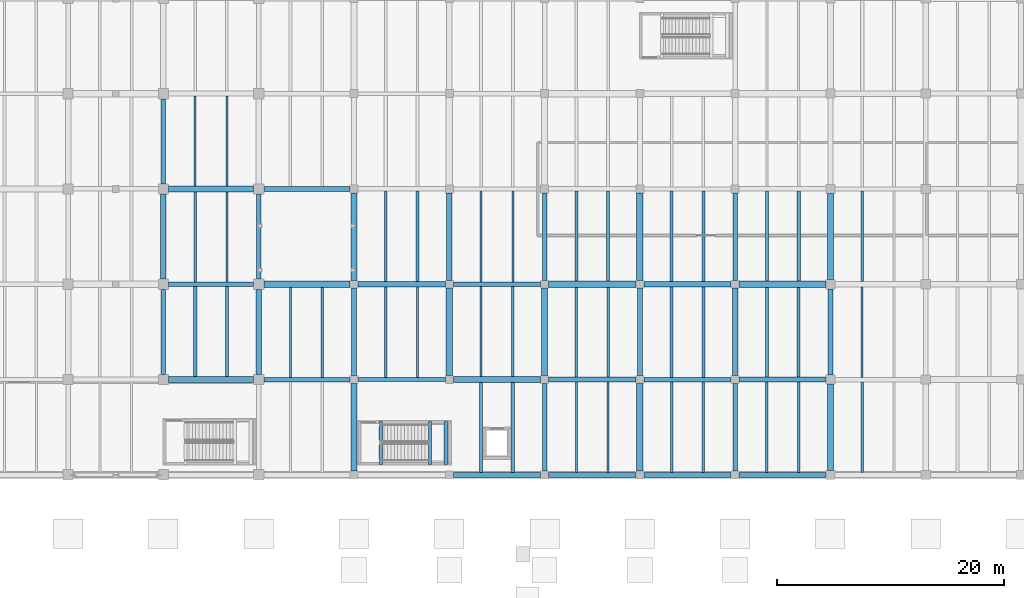
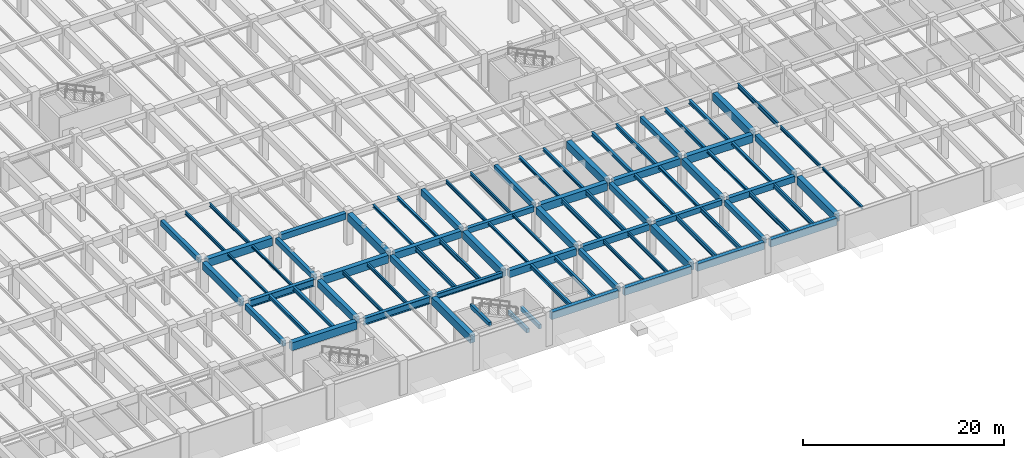
# One storey, part 16 of 63: 84 beams.
"""IFC4 building model written with IfcOpenShell, lengths in metres."""

from ifc_helpers import new_model, si_unit, direction, frame, origin, origin_2d, place, context, subcontext, project, spatial, rectangle, i_section, extrude, material, material_profile, profile_set, type_object, element, save


model = new_model("IFC4")

# Units and contexts
model_context = context("Model", 3, precision=1e-05, world=origin(), true_north=direction((0.0, 1.0)))
body_context = subcontext(model_context, "Body", "Model", "MODEL_VIEW")
ifc_project = project(units=[si_unit("LENGTHUNIT", "METRE"), si_unit("AREAUNIT", "SQUARE_METRE"), si_unit("VOLUMEUNIT", "CUBIC_METRE"), si_unit("PLANEANGLEUNIT", "RADIAN"), si_unit("MASSUNIT", "GRAM", prefix="KILO")], contexts=[model_context])

# Site, building, storey
site_placement = place(None, origin())
site = spatial("IfcSite", under=ifc_project, at=site_placement, CompositionType="ELEMENT")
building_placement = place(site_placement, origin())
building = spatial("IfcBuilding", under=site, at=building_placement, Name="Cumbredor Promenade Congress Hotel", CompositionType="ELEMENT")
storey_placement = place(building_placement, frame((0.0, 0.0, -4.199951171875)))
storey = spatial("IfcBuildingStorey", under=building, at=storey_placement, Name="B01", CompositionType="ELEMENT", Elevation=-4.199951171875)

# Beams
ifc_material_1 = material(Name="Concrete C40/50", Category="concrete")
ifc_material_profile_1 = material_profile(ifc_material_1, rectangle(XDim=0.39990234375, YDim=0.64990234375, at=origin_2d()), Name="RC BEAM 400x650")
ifc_profile_set_1 = profile_set([ifc_material_profile_1], Name="Concrete C40/50")
beam_type_1 = type_object("IfcBeamType", Name="BM-RC-400x650", PredefinedType="BEAM", material=ifc_profile_set_1)
for number, where, z_axis, x_axis, name in (
    (1, (58.800048828125, 17.25, 3.52490234375), (0.0, 1.0, 0.0), (-1.0, 0.0, 0.0), "L00 Y-Grid Beam 151"),
    (2, (58.800048828125, 34.050048828125, 3.52490234375), (0.0, 1.0, 0.0), (-1.0, 0.0, 0.0), "L00 Y-Grid Beam 155"),
    (3, (67.199951171875, 25.64990234375, 3.52490234375), (0.0, 1.0, 0.0), (-1.0, 0.0, 0.0), "L00 Y-Grid Beam 179"),
):
    element("IfcBeam", number, at=place(storey_placement, frame(where, z_axis=z_axis, x_axis=x_axis)), inside=storey, type_object=beam_type_1, Name=name, PredefinedType="BEAM", context=body_context, shape_type="SweptSolid", body=[
        extrude(rectangle(XDim=0.39990234375, YDim=0.64990234375, at=origin_2d()), origin(), (0.0, 0.0, 1.0), 7.5),
    ])
for number, where, z_axis, x_axis, name in (
    (4, (84.35009765625, 25.199951171875, 3.52490234375), (1.0, 0.0, 0.0), (0.0, 1.0, 0.0), "L00 X-Grid Beam 231"),
    (5, (92.39990234375, 8.75, 3.52490234375), (0.0, 1.0, 0.0), (-1.0, 0.0, 0.0), "L00 Y-Grid Beam 255"),
    (6, (92.39990234375, 25.550048828125, 3.52490234375), (0.0, 1.0, 0.0), (-1.0, 0.0, 0.0), "L00 Y-Grid Beam 259"),
):
    element("IfcBeam", number, at=place(storey_placement, frame(where, z_axis=z_axis, x_axis=x_axis)), inside=storey, type_object=beam_type_1, Name=name, PredefinedType="BEAM", context=body_context, shape_type="SweptSolid", body=[
        extrude(rectangle(XDim=0.39990234375, YDim=0.64990234375, at=origin_2d()), origin(), (0.0, 0.0, 1.0), 7.699951171875),
    ])
beam_1_placement = place(storey_placement, frame((101.14990234375, 16.800048828125, 3.52490234375), z_axis=(1.0, 0.0, 0.0), x_axis=(0.0, 1.0, 0.0)))
element("IfcBeam", 7, at=beam_1_placement, inside=storey, type_object=beam_type_1, Name="L00 X-Grid Beam 283", PredefinedType="BEAM", context=body_context, shape_type="SweptSolid", body=[
    extrude(rectangle(XDim=0.39990234375, YDim=0.64990234375, at=origin_2d()), origin(), (0.0, 0.0, 1.0), 7.7001953125),
])
for number, where, z_axis, x_axis, name in (
    (8, (109.199951171875, 8.75, 3.52490234375), (0.0, 1.0, 0.0), (-1.0, 0.0, 0.0), "L00 Y-Grid Beam 303"),
    (9, (109.199951171875, 25.550048828125, 3.52490234375), (0.0, 1.0, 0.0), (-1.0, 0.0, 0.0), "L00 Y-Grid Beam 307"),
):
    element("IfcBeam", number, at=place(storey_placement, frame(where, z_axis=z_axis, x_axis=x_axis)), inside=storey, type_object=beam_type_1, Name=name, PredefinedType="BEAM", context=body_context, shape_type="SweptSolid", body=[
        extrude(rectangle(XDim=0.39990234375, YDim=0.64990234375, at=origin_2d()), origin(), (0.0, 0.0, 1.0), 7.699951171875),
    ])
ifc_material_profile_2 = material_profile(ifc_material_1, rectangle(XDim=0.449951171875, YDim=0.75, at=origin_2d()), Name="RC BEAM 450x750")
ifc_profile_set_2 = profile_set([ifc_material_profile_2], Name="Concrete C40/50")
beam_type_2 = type_object("IfcBeamType", Name="BM-RC-450x750", PredefinedType="BEAM", material=ifc_profile_set_2)
beam_2_placement = place(storey_placement, frame((67.64990234375, 33.60009765625, 3.474853515625), z_axis=(1.0, 0.0, 0.0), x_axis=(0.0, 1.0, 0.0)))
element("IfcBeam", 10, at=beam_2_placement, inside=storey, type_object=beam_type_2, Name="L00 X-Grid Beam 180", PredefinedType="BEAM", context=body_context, shape_type="SweptSolid", body=[
    extrude(rectangle(XDim=0.449951171875, YDim=0.75, at=origin_2d()), origin(), (0.0, 0.0, 1.0), 7.60009765625),
])
beam_3_placement = place(storey_placement, frame((75.60009765625, 17.14990234375, 3.474853515625), z_axis=(0.0, 1.0, 0.0), x_axis=(-1.0, 0.0, 0.0)))
element("IfcBeam", 11, at=beam_3_placement, inside=storey, type_object=beam_type_2, Name="L00 Y-Grid Beam 204", PredefinedType="BEAM", context=body_context, shape_type="SweptSolid", body=[
    extrude(rectangle(XDim=0.449951171875, YDim=0.75, at=origin_2d()), origin(), (0.0, 0.0, 1.0), 7.7001953125),
])
for number, where, z_axis, x_axis, name in (
    (12, (84.0, 25.550048828125, 3.474853515625), (0.0, 1.0, 0.0), (-1.0, 0.0, 0.0), "L00 Y-Grid Beam 232"),
    (13, (92.75, 16.800048828125, 3.474853515625), (1.0, 0.0, 0.0), (0.0, 1.0, 0.0), "L00 X-Grid Beam 256"),
):
    element("IfcBeam", number, at=place(storey_placement, frame(where, z_axis=z_axis, x_axis=x_axis)), inside=storey, type_object=beam_type_2, Name=name, PredefinedType="BEAM", context=body_context, shape_type="SweptSolid", body=[
        extrude(rectangle(XDim=0.449951171875, YDim=0.75, at=origin_2d()), origin(), (0.0, 0.0, 1.0), 7.699951171875),
    ])
beam_4_placement = place(storey_placement, frame((100.800048828125, 17.14990234375, 3.474853515625), z_axis=(0.0, 1.0, 0.0), x_axis=(-1.0, 0.0, 0.0)))
element("IfcBeam", 14, at=beam_4_placement, inside=storey, type_object=beam_type_2, Name="L00 Y-Grid Beam 284", PredefinedType="BEAM", context=body_context, shape_type="SweptSolid", body=[
    extrude(rectangle(XDim=0.449951171875, YDim=0.75, at=origin_2d()), origin(), (0.0, 0.0, 1.0), 7.7001953125),
])
beam_5_placement = place(storey_placement, frame((109.550048828125, 16.800048828125, 3.474853515625), z_axis=(1.0, 0.0, 0.0), x_axis=(0.0, 1.0, 0.0)))
element("IfcBeam", 15, at=beam_5_placement, inside=storey, type_object=beam_type_2, Name="L00 X-Grid Beam 304", PredefinedType="BEAM", context=body_context, shape_type="SweptSolid", body=[
    extrude(rectangle(XDim=0.449951171875, YDim=0.75, at=origin_2d()), origin(), (0.0, 0.0, 1.0), 7.64990234375),
])
beam_6_placement = place(storey_placement, frame((117.60009765625, 17.199951171875, 3.474853515625), z_axis=(0.0, 1.0, 0.0), x_axis=(-1.0, 0.0, 0.0)))
element("IfcBeam", 16, at=beam_6_placement, inside=storey, type_object=beam_type_2, Name="L00 Y-Grid Beam 332", PredefinedType="BEAM", context=body_context, shape_type="SweptSolid", body=[
    extrude(rectangle(XDim=0.449951171875, YDim=0.75, at=origin_2d()), origin(), (0.0, 0.0, 1.0), 7.60009765625),
])
ifc_material_profile_3 = material_profile(ifc_material_1, rectangle(XDim=0.5, YDim=0.85009765625, at=origin_2d()), Name="RC BEAM 500x850")
ifc_profile_set_3 = profile_set([ifc_material_profile_3], Name="Concrete C40/50")
beam_type_3 = type_object("IfcBeamType", Name="BM-RC-500x850", PredefinedType="BEAM", material=ifc_profile_set_3)
for number, where, z_axis, x_axis, name in (
    (17, (58.800048828125, 25.64990234375, 3.425048828125), (0.0, 1.0, 0.0), (-1.0, 0.0, 0.0), "L00 Y-Grid Beam 153"),
    (18, (67.199951171875, 17.25, 3.425048828125), (0.0, 1.0, 0.0), (-1.0, 0.0, 0.0), "L00 Y-Grid Beam 177"),
):
    element("IfcBeam", number, at=place(storey_placement, frame(where, z_axis=z_axis, x_axis=x_axis)), inside=storey, type_object=beam_type_3, Name=name, PredefinedType="BEAM", context=body_context, shape_type="SweptSolid", body=[
        extrude(rectangle(XDim=0.5, YDim=0.85009765625, at=origin_2d()), origin(), (0.0, 0.0, 1.0), 7.5),
    ])
for number, where, z_axis, x_axis, name in (
    (19, (75.949951171875, 25.199951171875, 3.425048828125), (1.0, 0.0, 0.0), (0.0, 1.0, 0.0), "L00 X-Grid Beam 205"),
    (20, (84.35009765625, 16.800048828125, 3.425048828125), (1.0, 0.0, 0.0), (0.0, 1.0, 0.0), "L00 X-Grid Beam 229"),
):
    element("IfcBeam", number, at=place(storey_placement, frame(where, z_axis=z_axis, x_axis=x_axis)), inside=storey, type_object=beam_type_3, Name=name, PredefinedType="BEAM", context=body_context, shape_type="SweptSolid", body=[
        extrude(rectangle(XDim=0.5, YDim=0.85009765625, at=origin_2d()), origin(), (0.0, 0.0, 1.0), 7.699951171875),
    ])
for number, where, z_axis, x_axis, name in (
    (21, (92.39990234375, 17.14990234375, 3.425048828125), (0.0, 1.0, 0.0), (-1.0, 0.0, 0.0), "L00 Y-Grid Beam 257"),
    (22, (101.14990234375, 25.199951171875, 3.425048828125), (1.0, 0.0, 0.0), (0.0, 1.0, 0.0), "L00 X-Grid Beam 285"),
    (23, (109.199951171875, 17.14990234375, 3.425048828125), (0.0, 1.0, 0.0), (-1.0, 0.0, 0.0), "L00 Y-Grid Beam 305"),
):
    element("IfcBeam", number, at=place(storey_placement, frame(where, z_axis=z_axis, x_axis=x_axis)), inside=storey, type_object=beam_type_3, Name=name, PredefinedType="BEAM", context=body_context, shape_type="SweptSolid", body=[
        extrude(rectangle(XDim=0.5, YDim=0.85009765625, at=origin_2d()), origin(), (0.0, 0.0, 1.0), 7.7001953125),
    ])
ifc_material_profile_4 = material_profile(ifc_material_1, rectangle(XDim=0.550048828125, YDim=0.949951171875, at=origin_2d()), Name="RC BEAM 550x950")
ifc_profile_set_4 = profile_set([ifc_material_profile_4], Name="Concrete C40/50")
beam_type_4 = type_object("IfcBeamType", Name="BM-RC-550x950", PredefinedType="BEAM", material=ifc_profile_set_4)
for number, where, z_axis, x_axis, name in (
    (24, (59.25, 16.800048828125, 3.375), (1.0, 0.0, 0.0), (0.0, 1.0, 0.0), "L00 X-Grid Beam 150"),
    (25, (59.25, 33.60009765625, 3.375), (1.0, 0.0, 0.0), (0.0, 1.0, 0.0), "L00 X-Grid Beam 154"),
):
    element("IfcBeam", number, at=place(storey_placement, frame(where, z_axis=z_axis, x_axis=x_axis)), inside=storey, type_object=beam_type_4, Name=name, PredefinedType="BEAM", context=body_context, shape_type="SweptSolid", body=[
        extrude(rectangle(XDim=0.550048828125, YDim=0.949951171875, at=origin_2d()), origin(), (0.0, 0.0, 1.0), 7.5),
    ])
beam_7_placement = place(storey_placement, frame((67.64990234375, 25.199951171875, 3.375), z_axis=(1.0, 0.0, 0.0), x_axis=(0.0, 1.0, 0.0)))
element("IfcBeam", 26, at=beam_7_placement, inside=storey, type_object=beam_type_4, Name="L00 X-Grid Beam 178", PredefinedType="BEAM", context=body_context, shape_type="SweptSolid", body=[
    extrude(rectangle(XDim=0.550048828125, YDim=0.949951171875, at=origin_2d()), origin(), (0.0, 0.0, 1.0), 7.60009765625),
])
for number, where, z_axis, x_axis, name in (
    (27, (75.60009765625, 8.75, 3.375), (0.0, 1.0, 0.0), (-1.0, 0.0, 0.0), "L00 Y-Grid Beam 202"),
    (28, (75.60009765625, 25.550048828125, 3.375), (0.0, 1.0, 0.0), (-1.0, 0.0, 0.0), "L00 Y-Grid Beam 206"),
):
    element("IfcBeam", number, at=place(storey_placement, frame(where, z_axis=z_axis, x_axis=x_axis)), inside=storey, type_object=beam_type_4, Name=name, PredefinedType="BEAM", context=body_context, shape_type="SweptSolid", body=[
        extrude(rectangle(XDim=0.550048828125, YDim=0.949951171875, at=origin_2d()), origin(), (0.0, 0.0, 1.0), 7.699951171875),
    ])
beam_8_placement = place(storey_placement, frame((84.0, 17.14990234375, 3.375), z_axis=(0.0, 1.0, 0.0), x_axis=(-1.0, 0.0, 0.0)))
element("IfcBeam", 29, at=beam_8_placement, inside=storey, type_object=beam_type_4, Name="L00 Y-Grid Beam 230", PredefinedType="BEAM", context=body_context, shape_type="SweptSolid", body=[
    extrude(rectangle(XDim=0.550048828125, YDim=0.949951171875, at=origin_2d()), origin(), (0.0, 0.0, 1.0), 7.7001953125),
])
for number, where, z_axis, x_axis, name in (
    (30, (92.75, 25.199951171875, 3.375), (1.0, 0.0, 0.0), (0.0, 1.0, 0.0), "L00 X-Grid Beam 258"),
    (31, (100.800048828125, 8.75, 3.375), (0.0, 1.0, 0.0), (-1.0, 0.0, 0.0), "L00 Y-Grid Beam 282"),
    (32, (100.800048828125, 25.550048828125, 3.375), (0.0, 1.0, 0.0), (-1.0, 0.0, 0.0), "L00 Y-Grid Beam 286"),
):
    element("IfcBeam", number, at=place(storey_placement, frame(where, z_axis=z_axis, x_axis=x_axis)), inside=storey, type_object=beam_type_4, Name=name, PredefinedType="BEAM", context=body_context, shape_type="SweptSolid", body=[
        extrude(rectangle(XDim=0.550048828125, YDim=0.949951171875, at=origin_2d()), origin(), (0.0, 0.0, 1.0), 7.699951171875),
    ])
beam_9_placement = place(storey_placement, frame((109.550048828125, 25.199951171875, 3.375), z_axis=(1.0, 0.0, 0.0), x_axis=(0.0, 1.0, 0.0)))
element("IfcBeam", 33, at=beam_9_placement, inside=storey, type_object=beam_type_4, Name="L00 X-Grid Beam 306", PredefinedType="BEAM", context=body_context, shape_type="SweptSolid", body=[
    extrude(rectangle(XDim=0.550048828125, YDim=0.949951171875, at=origin_2d()), origin(), (0.0, 0.0, 1.0), 7.64990234375),
])
for number, where, z_axis, x_axis, name in (
    (34, (117.60009765625, 8.800048828125, 3.375), (0.0, 1.0, 0.0), (-1.0, 0.0, 0.0), "L00 Y-Grid Beam 330"),
    (35, (117.60009765625, 25.60009765625, 3.375), (0.0, 1.0, 0.0), (-1.0, 0.0, 0.0), "L00 Y-Grid Beam 334"),
):
    element("IfcBeam", number, at=place(storey_placement, frame(where, z_axis=z_axis, x_axis=x_axis)), inside=storey, type_object=beam_type_4, Name=name, PredefinedType="BEAM", context=body_context, shape_type="SweptSolid", body=[
        extrude(rectangle(XDim=0.550048828125, YDim=0.949951171875, at=origin_2d()), origin(), (0.0, 0.0, 1.0), 7.599853515625),
    ])
ifc_material_2 = material(Name="Steel ASTM A992 Grade 50", Category="steel")
ifc_material_profile_5 = material_profile(ifc_material_2, i_section(OverallWidth=0.323974609375, OverallDepth=0.611083984375, WebThickness=0.0126953125, FlangeThickness=0.01904296875, at=origin_2d()), Name="W24X104")
ifc_profile_set_5 = profile_set([ifc_material_profile_5], Name="Steel ASTM A992 Grade 50")
beam_type_5 = type_object("IfcBeamType", Name="BM-W24X104", PredefinedType="BEAM", material=ifc_profile_set_5)
beam_10_placement = place(storey_placement, frame((75.949951171875, 16.800048828125, 3.54443359375), z_axis=(1.0, 0.0, 0.0), x_axis=(0.0, 1.0, 0.0)))
element("IfcBeam", 36, at=beam_10_placement, inside=storey, type_object=beam_type_5, Name="L00 X-Grid Beam 203", PredefinedType="BEAM", context=body_context, shape_type="SweptSolid", body=[
    extrude(i_section(OverallWidth=0.323974609375, OverallDepth=0.611083984375, WebThickness=0.0126953125, FlangeThickness=0.01904296875, at=origin_2d()), origin(), (0.0, 0.0, 1.0), 7.699951171875),
])
ifc_material_profile_6 = material_profile(ifc_material_2, i_section(OverallWidth=0.39990234375, OverallDepth=0.85498046875, WebThickness=0.018310546875, FlangeThickness=0.029296875, at=origin_2d()), Name="W33X201")
ifc_profile_set_6 = profile_set([ifc_material_profile_6], Name="Steel ASTM A992 Grade 50")
beam_type_6 = type_object("IfcBeamType", Name="BM-W33X201", PredefinedType="BEAM", material=ifc_profile_set_6)
beam_11_placement = place(storey_placement, frame((59.25, 25.199951171875, 3.42236328125), z_axis=(1.0, 0.0, 0.0), x_axis=(0.0, 1.0, 0.0)))
element("IfcBeam", 37, at=beam_11_placement, inside=storey, type_object=beam_type_6, Name="L00 X-Grid Beam 152", PredefinedType="BEAM", context=body_context, shape_type="SweptSolid", body=[
    extrude(i_section(OverallWidth=0.39990234375, OverallDepth=0.85498046875, WebThickness=0.018310546875, FlangeThickness=0.029296875, at=origin_2d()), origin(), (0.0, 0.0, 1.0), 7.5),
])
beam_12_placement = place(storey_placement, frame((67.64990234375, 16.800048828125, 3.42236328125), z_axis=(1.0, 0.0, 0.0), x_axis=(0.0, 1.0, 0.0)))
element("IfcBeam", 38, at=beam_12_placement, inside=storey, type_object=beam_type_6, Name="L00 X-Grid Beam 176", PredefinedType="BEAM", context=body_context, shape_type="SweptSolid", body=[
    extrude(i_section(OverallWidth=0.39990234375, OverallDepth=0.85498046875, WebThickness=0.018310546875, FlangeThickness=0.029296875, at=origin_2d()), origin(), (0.0, 0.0, 1.0), 7.60009765625),
])
ifc_material_profile_7 = material_profile(ifc_material_2, i_section(OverallWidth=0.202880859375, OverallDepth=0.302978515625, WebThickness=0.007568359375, FlangeThickness=0.01318359375, at=origin_2d()), Name="W12X40")
ifc_profile_set_7 = profile_set([ifc_material_profile_7], Name="Steel ASTM A992 Grade 50")
beam_type_7 = type_object("IfcBeamType", Name="JST-W12X40", PredefinedType="JOIST", material=ifc_profile_set_7)
for number, where, z_axis, x_axis, name in (
    (39, (61.60009765625, 25.39990234375, 3.698486328125), (0.0, 1.0, 0.0), (-1.0, 0.0, 0.0), "L00 Secondary Floor Joist 0124"),
    (40, (64.39990234375, 25.39990234375, 3.698486328125), (0.0, 1.0, 0.0), (-1.0, 0.0, 0.0), "L00 Secondary Floor Joist 0125"),
):
    element("IfcBeam", number, at=place(storey_placement, frame(where, z_axis=z_axis, x_axis=x_axis)), inside=storey, type_object=beam_type_7, Name=name, PredefinedType="JOIST", context=body_context, shape_type="SweptSolid", body=[
        extrude(i_section(OverallWidth=0.202880859375, OverallDepth=0.302978515625, WebThickness=0.007568359375, FlangeThickness=0.01318359375, at=origin_2d()), origin(), (0.0, 0.0, 1.0), 7.925048828125),
    ])
for number, where, z_axis, x_axis, name in (
    (41, (86.800048828125, 17.050048828125, 3.698486328125), (0.0, 1.0, 0.0), (-1.0, 0.0, 0.0), "L00 Secondary Floor Joist 0194"),
    (42, (89.60009765625, 17.050048828125, 3.698486328125), (0.0, 1.0, 0.0), (-1.0, 0.0, 0.0), "L00 Secondary Floor Joist 0195"),
):
    element("IfcBeam", number, at=place(storey_placement, frame(where, z_axis=z_axis, x_axis=x_axis)), inside=storey, type_object=beam_type_7, Name=name, PredefinedType="JOIST", context=body_context, shape_type="SweptSolid", body=[
        extrude(i_section(OverallWidth=0.202880859375, OverallDepth=0.302978515625, WebThickness=0.007568359375, FlangeThickness=0.01318359375, at=origin_2d()), origin(), (0.0, 0.0, 1.0), 7.949951171875),
    ])
beam_13_placement = place(storey_placement, frame((120.39990234375, 8.625, 3.698486328125), z_axis=(0.0, 1.0, 0.0), x_axis=(-1.0, 0.0, 0.0)))
element("IfcBeam", 43, at=beam_13_placement, inside=storey, type_object=beam_type_7, Name="L00 Secondary Floor Joist 0279", PredefinedType="JOIST", context=body_context, shape_type="SweptSolid", body=[
    extrude(i_section(OverallWidth=0.202880859375, OverallDepth=0.302978515625, WebThickness=0.007568359375, FlangeThickness=0.01318359375, at=origin_2d()), origin(), (0.0, 0.0, 1.0), 7.97509765625),
])
ifc_material_profile_8 = material_profile(ifc_material_2, i_section(OverallWidth=0.2548828125, OverallDepth=0.35693359375, WebThickness=0.010498046875, FlangeThickness=0.018310546875, at=origin_2d()), Name="W14X68")
ifc_profile_set_8 = profile_set([ifc_material_profile_8], Name="Steel ASTM A992 Grade 50")
beam_type_8 = type_object("IfcBeamType", Name="JST-W14X68", PredefinedType="JOIST", material=ifc_profile_set_8)
for number, where, z_axis, x_axis, name in (
    (44, (78.39990234375, 25.449951171875, 3.67138671875), (0.0, 1.0, 0.0), (-1.0, 0.0, 0.0), "L00 Secondary Floor Joist 0170"),
    (45, (81.199951171875, 25.449951171875, 3.67138671875), (0.0, 1.0, 0.0), (-1.0, 0.0, 0.0), "L00 Secondary Floor Joist 0171"),
):
    element("IfcBeam", number, at=place(storey_placement, frame(where, z_axis=z_axis, x_axis=x_axis)), inside=storey, type_object=beam_type_8, Name=name, PredefinedType="JOIST", context=body_context, shape_type="SweptSolid", body=[
        extrude(i_section(OverallWidth=0.2548828125, OverallDepth=0.35693359375, WebThickness=0.010498046875, FlangeThickness=0.018310546875, at=origin_2d()), origin(), (0.0, 0.0, 1.0), 7.949951171875),
    ])
for number, where, z_axis, x_axis, name in (
    (46, (95.199951171875, 25.47509765625, 3.67138671875), (0.0, 1.0, 0.0), (-1.0, 0.0, 0.0), "L00 Secondary Floor Joist 0220"),
    (47, (98.0, 25.47509765625, 3.67138671875), (0.0, 1.0, 0.0), (-1.0, 0.0, 0.0), "L00 Secondary Floor Joist 0221"),
):
    element("IfcBeam", number, at=place(storey_placement, frame(where, z_axis=z_axis, x_axis=x_axis)), inside=storey, type_object=beam_type_8, Name=name, PredefinedType="JOIST", context=body_context, shape_type="SweptSolid", body=[
        extrude(i_section(OverallWidth=0.2548828125, OverallDepth=0.35693359375, WebThickness=0.010498046875, FlangeThickness=0.018310546875, at=origin_2d()), origin(), (0.0, 0.0, 1.0), 7.9248046875),
    ])
for number, where, z_axis, x_axis, name in (
    (48, (103.60009765625, 17.0, 3.67138671875), (0.0, 1.0, 0.0), (-1.0, 0.0, 0.0), "L00 Secondary Floor Joist 0240"),
    (49, (106.39990234375, 17.0, 3.67138671875), (0.0, 1.0, 0.0), (-1.0, 0.0, 0.0), "L00 Secondary Floor Joist 0241"),
):
    element("IfcBeam", number, at=place(storey_placement, frame(where, z_axis=z_axis, x_axis=x_axis)), inside=storey, type_object=beam_type_8, Name=name, PredefinedType="JOIST", context=body_context, shape_type="SweptSolid", body=[
        extrude(i_section(OverallWidth=0.2548828125, OverallDepth=0.35693359375, WebThickness=0.010498046875, FlangeThickness=0.018310546875, at=origin_2d()), origin(), (0.0, 0.0, 1.0), 7.949951171875),
    ])
for number, where, z_axis, x_axis, name in (
    (50, (112.0, 17.02490234375, 3.67138671875), (0.0, 1.0, 0.0), (-1.0, 0.0, 0.0), "L00 Secondary Floor Joist 0255"),
    (51, (114.800048828125, 17.02490234375, 3.67138671875), (0.0, 1.0, 0.0), (-1.0, 0.0, 0.0), "L00 Secondary Floor Joist 0256"),
):
    element("IfcBeam", number, at=place(storey_placement, frame(where, z_axis=z_axis, x_axis=x_axis)), inside=storey, type_object=beam_type_8, Name=name, PredefinedType="JOIST", context=body_context, shape_type="SweptSolid", body=[
        extrude(i_section(OverallWidth=0.2548828125, OverallDepth=0.35693359375, WebThickness=0.010498046875, FlangeThickness=0.018310546875, at=origin_2d()), origin(), (0.0, 0.0, 1.0), 7.900146484375),
    ])
ifc_material_profile_9 = material_profile(ifc_material_2, i_section(OverallWidth=0.180908203125, OverallDepth=0.4169921875, WebThickness=0.010986328125, FlangeThickness=0.018310546875, at=origin_2d()), Name="W16X57")
ifc_profile_set_9 = profile_set([ifc_material_profile_9], Name="Steel ASTM A992 Grade 50")
beam_type_9 = type_object("IfcBeamType", Name="JST-W16X57", PredefinedType="JOIST", material=ifc_profile_set_9)
for number, where, z_axis, x_axis, name in (
    (52, (61.60009765625, 33.875, 3.641357421875), (0.0, 1.0, 0.0), (-1.0, 0.0, 0.0), "L00 Secondary Floor Joist 0126"),
    (53, (64.39990234375, 33.875, 3.641357421875), (0.0, 1.0, 0.0), (-1.0, 0.0, 0.0), "L00 Secondary Floor Joist 0127"),
):
    element("IfcBeam", number, at=place(storey_placement, frame(where, z_axis=z_axis, x_axis=x_axis)), inside=storey, type_object=beam_type_9, Name=name, PredefinedType="JOIST", context=body_context, shape_type="SweptSolid", body=[
        extrude(i_section(OverallWidth=0.180908203125, OverallDepth=0.4169921875, WebThickness=0.010986328125, FlangeThickness=0.018310546875, at=origin_2d()), origin(), (0.0, 0.0, 1.0), 7.89990234375),
    ])
for number, where, z_axis, x_axis, name in (
    (54, (70.0, 17.0, 3.641357421875), (0.0, 1.0, 0.0), (-1.0, 0.0, 0.0), "L00 Secondary Floor Joist 0146"),
    (55, (72.800048828125, 17.0, 3.641357421875), (0.0, 1.0, 0.0), (-1.0, 0.0, 0.0), "L00 Secondary Floor Joist 0147"),
):
    element("IfcBeam", number, at=place(storey_placement, frame(where, z_axis=z_axis, x_axis=x_axis)), inside=storey, type_object=beam_type_9, Name=name, PredefinedType="JOIST", context=body_context, shape_type="SweptSolid", body=[
        extrude(i_section(OverallWidth=0.180908203125, OverallDepth=0.4169921875, WebThickness=0.010986328125, FlangeThickness=0.018310546875, at=origin_2d()), origin(), (0.0, 0.0, 1.0), 7.925048828125),
    ])
for number, where, z_axis, x_axis, name in (
    (56, (86.800048828125, 25.39990234375, 3.641357421875), (0.0, 1.0, 0.0), (-1.0, 0.0, 0.0), "L00 Secondary Floor Joist 0196"),
    (57, (89.60009765625, 25.39990234375, 3.641357421875), (0.0, 1.0, 0.0), (-1.0, 0.0, 0.0), "L00 Secondary Floor Joist 0197"),
):
    element("IfcBeam", number, at=place(storey_placement, frame(where, z_axis=z_axis, x_axis=x_axis)), inside=storey, type_object=beam_type_9, Name=name, PredefinedType="JOIST", context=body_context, shape_type="SweptSolid", body=[
        extrude(i_section(OverallWidth=0.180908203125, OverallDepth=0.4169921875, WebThickness=0.010986328125, FlangeThickness=0.018310546875, at=origin_2d()), origin(), (0.0, 0.0, 1.0), 8.0380859375),
    ])
for number, where, z_axis, x_axis, name in (
    (58, (95.199951171875, 8.625, 3.641357421875), (0.0, 1.0, 0.0), (-1.0, 0.0, 0.0), "L00 Secondary Floor Joist 0216"),
    (59, (98.0, 8.625, 3.641357421875), (0.0, 1.0, 0.0), (-1.0, 0.0, 0.0), "L00 Secondary Floor Joist 0217"),
    (60, (120.39990234375, 17.0, 3.641357421875), (0.0, 1.0, 0.0), (-1.0, 0.0, 0.0), "L00 Secondary Floor Joist 0281"),
):
    element("IfcBeam", number, at=place(storey_placement, frame(where, z_axis=z_axis, x_axis=x_axis)), inside=storey, type_object=beam_type_9, Name=name, PredefinedType="JOIST", context=body_context, shape_type="SweptSolid", body=[
        extrude(i_section(OverallWidth=0.180908203125, OverallDepth=0.4169921875, WebThickness=0.010986328125, FlangeThickness=0.018310546875, at=origin_2d()), origin(), (0.0, 0.0, 1.0), 7.949951171875),
    ])
ifc_material_profile_10 = material_profile(ifc_material_2, i_section(OverallWidth=0.280029296875, OverallDepth=0.462890625, WebThickness=0.0107421875, FlangeThickness=0.017333984375, at=origin_2d()), Name="W18X76")
ifc_profile_set_10 = profile_set([ifc_material_profile_10], Name="Steel ASTM A992 Grade 50")
beam_type_10 = type_object("IfcBeamType", Name="JST-W18X76", PredefinedType="JOIST", material=ifc_profile_set_10)
for number, where, z_axis, x_axis, name in (
    (61, (61.60009765625, 17.074951171875, 3.618408203125), (0.0, 1.0, 0.0), (-1.0, 0.0, 0.0), "L00 Secondary Floor Joist 0122"),
    (62, (64.39990234375, 17.074951171875, 3.618408203125), (0.0, 1.0, 0.0), (-1.0, 0.0, 0.0), "L00 Secondary Floor Joist 0123"),
    (63, (86.800048828125, 8.625, 3.618408203125), (0.0, 1.0, 0.0), (-1.0, 0.0, 0.0), "L00 Secondary Floor Joist 0192"),
    (64, (89.60009765625, 8.625, 3.618408203125), (0.0, 1.0, 0.0), (-1.0, 0.0, 0.0), "L00 Secondary Floor Joist 0193"),
):
    element("IfcBeam", number, at=place(storey_placement, frame(where, z_axis=z_axis, x_axis=x_axis)), inside=storey, type_object=beam_type_10, Name=name, PredefinedType="JOIST", context=body_context, shape_type="SweptSolid", body=[
        extrude(i_section(OverallWidth=0.280029296875, OverallDepth=0.462890625, WebThickness=0.0107421875, FlangeThickness=0.017333984375, at=origin_2d()), origin(), (0.0, 0.0, 1.0), 7.925048828125),
    ])
for number, where, z_axis, x_axis, name in (
    (65, (103.60009765625, 25.449951171875, 3.618408203125), (0.0, 1.0, 0.0), (-1.0, 0.0, 0.0), "L00 Secondary Floor Joist 0242"),
    (66, (106.39990234375, 25.449951171875, 3.618408203125), (0.0, 1.0, 0.0), (-1.0, 0.0, 0.0), "L00 Secondary Floor Joist 0243"),
):
    element("IfcBeam", number, at=place(storey_placement, frame(where, z_axis=z_axis, x_axis=x_axis)), inside=storey, type_object=beam_type_10, Name=name, PredefinedType="JOIST", context=body_context, shape_type="SweptSolid", body=[
        extrude(i_section(OverallWidth=0.280029296875, OverallDepth=0.462890625, WebThickness=0.0107421875, FlangeThickness=0.017333984375, at=origin_2d()), origin(), (0.0, 0.0, 1.0), 7.988037109375),
    ])
for number, where, z_axis, x_axis, name in (
    (67, (112.0, 25.47509765625, 3.618408203125), (0.0, 1.0, 0.0), (-1.0, 0.0, 0.0), "L00 Secondary Floor Joist 0257"),
    (68, (114.800048828125, 25.47509765625, 3.618408203125), (0.0, 1.0, 0.0), (-1.0, 0.0, 0.0), "L00 Secondary Floor Joist 0258"),
):
    element("IfcBeam", number, at=place(storey_placement, frame(where, z_axis=z_axis, x_axis=x_axis)), inside=storey, type_object=beam_type_10, Name=name, PredefinedType="JOIST", context=body_context, shape_type="SweptSolid", body=[
        extrude(i_section(OverallWidth=0.280029296875, OverallDepth=0.462890625, WebThickness=0.0107421875, FlangeThickness=0.017333984375, at=origin_2d()), origin(), (0.0, 0.0, 1.0), 7.9248046875),
    ])
ifc_material_profile_11 = material_profile(ifc_material_2, i_section(OverallWidth=0.214111328125, OverallDepth=0.549072265625, WebThickness=0.0146484375, FlangeThickness=0.023681640625, at=origin_2d()), Name="W21X93")
ifc_profile_set_11 = profile_set([ifc_material_profile_11], Name="Steel ASTM A992 Grade 50")
beam_type_11 = type_object("IfcBeamType", Name="JST-W21X93", PredefinedType="JOIST", material=ifc_profile_set_11)
for number, where, z_axis, x_axis, name in (
    (69, (78.39990234375, 16.9619140625, 3.575439453125), (0.0, 1.0, 0.0), (-1.0, 0.0, 0.0), "L00 Secondary Floor Joist 0168"),
    (70, (81.199951171875, 16.9619140625, 3.575439453125), (0.0, 1.0, 0.0), (-1.0, 0.0, 0.0), "L00 Secondary Floor Joist 0169"),
):
    element("IfcBeam", number, at=place(storey_placement, frame(where, z_axis=z_axis, x_axis=x_axis)), inside=storey, type_object=beam_type_11, Name=name, PredefinedType="JOIST", context=body_context, shape_type="SweptSolid", body=[
        extrude(i_section(OverallWidth=0.214111328125, OverallDepth=0.549072265625, WebThickness=0.0146484375, FlangeThickness=0.023681640625, at=origin_2d()), origin(), (0.0, 0.0, 1.0), 7.988037109375),
    ])
for number, where, z_axis, x_axis, name in (
    (71, (95.199951171875, 17.02490234375, 3.575439453125), (0.0, 1.0, 0.0), (-1.0, 0.0, 0.0), "L00 Secondary Floor Joist 0218"),
    (72, (98.0, 17.02490234375, 3.575439453125), (0.0, 1.0, 0.0), (-1.0, 0.0, 0.0), "L00 Secondary Floor Joist 0219"),
):
    element("IfcBeam", number, at=place(storey_placement, frame(where, z_axis=z_axis, x_axis=x_axis)), inside=storey, type_object=beam_type_11, Name=name, PredefinedType="JOIST", context=body_context, shape_type="SweptSolid", body=[
        extrude(i_section(OverallWidth=0.214111328125, OverallDepth=0.549072265625, WebThickness=0.0146484375, FlangeThickness=0.023681640625, at=origin_2d()), origin(), (0.0, 0.0, 1.0), 7.900146484375),
    ])
for number, where, z_axis, x_axis, name in (
    (73, (103.60009765625, 8.625, 3.575439453125), (0.0, 1.0, 0.0), (-1.0, 0.0, 0.0), "L00 Secondary Floor Joist 0238"),
    (74, (106.39990234375, 8.625, 3.575439453125), (0.0, 1.0, 0.0), (-1.0, 0.0, 0.0), "L00 Secondary Floor Joist 0239"),
):
    element("IfcBeam", number, at=place(storey_placement, frame(where, z_axis=z_axis, x_axis=x_axis)), inside=storey, type_object=beam_type_11, Name=name, PredefinedType="JOIST", context=body_context, shape_type="SweptSolid", body=[
        extrude(i_section(OverallWidth=0.214111328125, OverallDepth=0.549072265625, WebThickness=0.0146484375, FlangeThickness=0.023681640625, at=origin_2d()), origin(), (0.0, 0.0, 1.0), 7.97509765625),
    ])
for number, where, z_axis, x_axis, name in (
    (75, (112.0, 8.625, 3.575439453125), (0.0, 1.0, 0.0), (-1.0, 0.0, 0.0), "L00 Secondary Floor Joist 0253"),
    (76, (114.800048828125, 8.625, 3.575439453125), (0.0, 1.0, 0.0), (-1.0, 0.0, 0.0), "L00 Secondary Floor Joist 0254"),
):
    element("IfcBeam", number, at=place(storey_placement, frame(where, z_axis=z_axis, x_axis=x_axis)), inside=storey, type_object=beam_type_11, Name=name, PredefinedType="JOIST", context=body_context, shape_type="SweptSolid", body=[
        extrude(i_section(OverallWidth=0.214111328125, OverallDepth=0.549072265625, WebThickness=0.0146484375, FlangeThickness=0.023681640625, at=origin_2d()), origin(), (0.0, 0.0, 1.0), 7.949951171875),
    ])
beam_14_placement = place(storey_placement, frame((120.39990234375, 25.449951171875, 3.575439453125), z_axis=(0.0, 1.0, 0.0), x_axis=(-1.0, 0.0, 0.0)))
element("IfcBeam", 77, at=beam_14_placement, inside=storey, type_object=beam_type_11, Name="L00 Secondary Floor Joist 0283", PredefinedType="JOIST", context=body_context, shape_type="SweptSolid", body=[
    extrude(i_section(OverallWidth=0.214111328125, OverallDepth=0.549072265625, WebThickness=0.0146484375, FlangeThickness=0.023681640625, at=origin_2d()), origin(), (0.0, 0.0, 1.0), 7.988037109375),
])
ifc_material_profile_12 = material_profile(ifc_material_1, rectangle(XDim=0.300048828125, YDim=0.5, at=origin_2d()), Name="RC LINTEL 300x500")
ifc_profile_set_12 = profile_set([ifc_material_profile_12], Name="Concrete C40/50")
beam_type_12 = type_object("IfcBeamType", Name="LN-RC-300x500", PredefinedType="LINTEL", material=ifc_profile_set_12)
for number, where, z_axis, x_axis, name in (
    (78, (83.699951171875, 9.330078125, 1.64990234375), (0.0, 1.0, 0.0), (-1.0, 0.0, 0.0), "B01 Stair ST-11 Landing Ledger Beam E"),
    (79, (82.300048828125, 9.330078125, 1.64990234375), (0.0, 1.0, 0.0), (-1.0, 0.0, 0.0), "B01 Stair ST-11 Landing Ledger Beam W"),
    (80, (77.949951171875, 9.330078125, 3.949951171875), (0.0, 1.0, 0.0), (-1.0, 0.0, 0.0), "L00 Stair ST-11 Well Header Trimmer Beam"),
):
    element("IfcBeam", number, at=place(storey_placement, frame(where, z_axis=z_axis, x_axis=x_axis)), inside=storey, type_object=beam_type_12, Name=name, PredefinedType="LINTEL", context=body_context, shape_type="SweptSolid", body=[
        extrude(rectangle(XDim=0.300048828125, YDim=0.5, at=origin_2d()), origin(), (0.0, 0.0, 1.0), 3.77001953125),
    ])
ifc_material_profile_13 = material_profile(ifc_material_1, rectangle(XDim=0.449951171875, YDim=0.89990234375, at=origin_2d()), Name="RC SPANDREL 450x900")
ifc_profile_set_13 = profile_set([ifc_material_profile_13], Name="Concrete C40/50")
beam_type_13 = type_object("IfcBeamType", Name="SP-RC-450x900", PredefinedType="SPANDREL", material=ifc_profile_set_13)
for number, where, z_axis, x_axis, name in (
    (81, (84.35009765625, 8.39990234375, 3.39990234375), (1.0, 0.0, 0.0), (0.0, 1.0, 0.0), "L00 X-Grid Beam 228"),
    (82, (92.75, 8.39990234375, 3.39990234375), (1.0, 0.0, 0.0), (0.0, 1.0, 0.0), "L00 X-Grid Beam 254"),
):
    element("IfcBeam", number, at=place(storey_placement, frame(where, z_axis=z_axis, x_axis=x_axis)), inside=storey, type_object=beam_type_13, Name=name, PredefinedType="SPANDREL", context=body_context, shape_type="SweptSolid", body=[
        extrude(rectangle(XDim=0.449951171875, YDim=0.89990234375, at=origin_2d()), origin(), (0.0, 0.0, 1.0), 7.699951171875),
    ])
beam_15_placement = place(storey_placement, frame((101.14990234375, 8.39990234375, 3.39990234375), z_axis=(1.0, 0.0, 0.0), x_axis=(0.0, 1.0, 0.0)))
element("IfcBeam", 83, at=beam_15_placement, inside=storey, type_object=beam_type_13, Name="L00 X-Grid Beam 281", PredefinedType="SPANDREL", context=body_context, shape_type="SweptSolid", body=[
    extrude(rectangle(XDim=0.449951171875, YDim=0.89990234375, at=origin_2d()), origin(), (0.0, 0.0, 1.0), 7.7001953125),
])
beam_16_placement = place(storey_placement, frame((109.550048828125, 8.39990234375, 3.39990234375), z_axis=(1.0, 0.0, 0.0), x_axis=(0.0, 1.0, 0.0)))
element("IfcBeam", 84, at=beam_16_placement, inside=storey, type_object=beam_type_13, Name="L00 X-Grid Beam 302", PredefinedType="SPANDREL", context=body_context, shape_type="SweptSolid", body=[
    extrude(rectangle(XDim=0.449951171875, YDim=0.89990234375, at=origin_2d()), origin(), (0.0, 0.0, 1.0), 7.64990234375),
])

save(model, "model.ifc")
